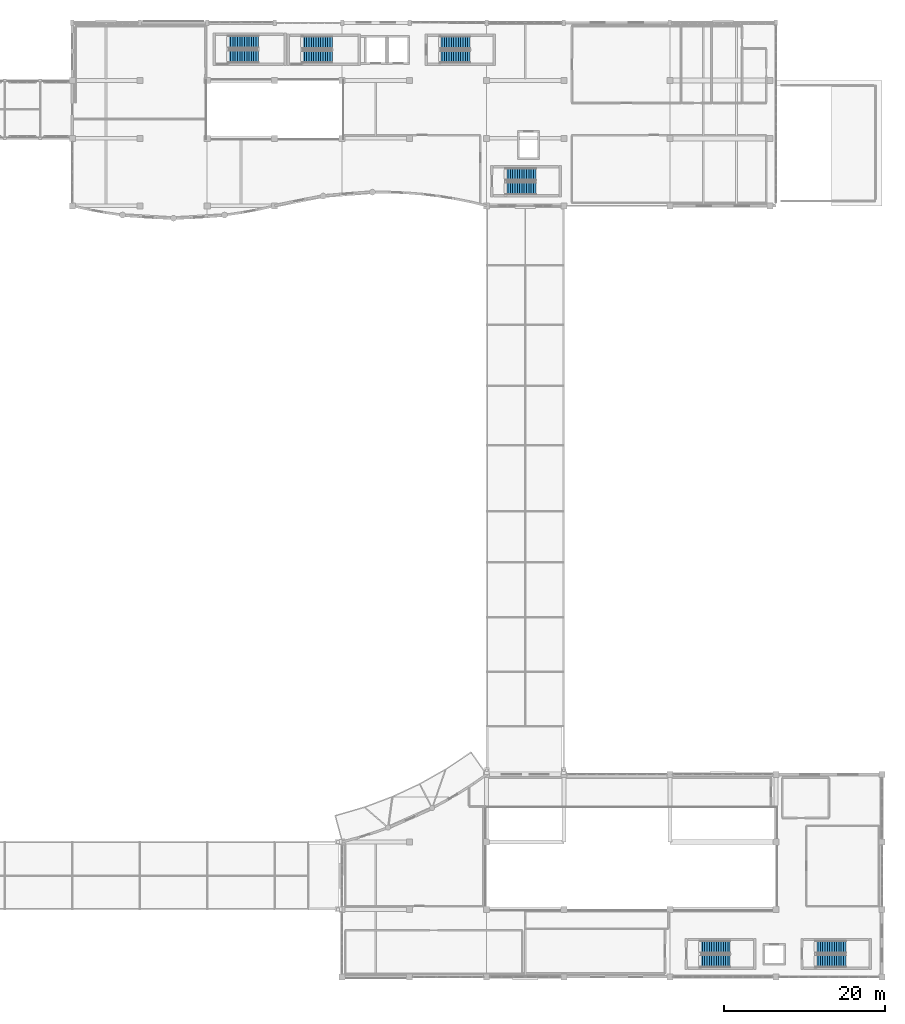
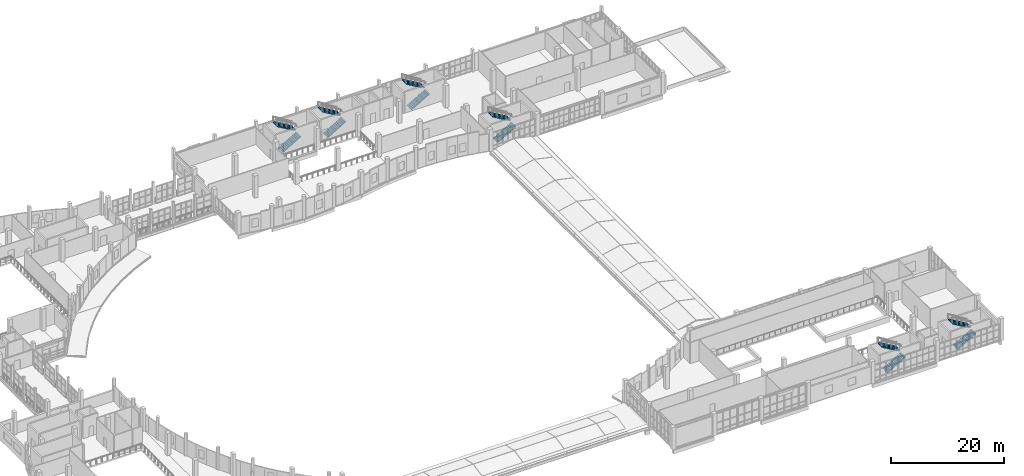
# One storey, part 93 of 106: 12 stair flights, 6 elements without a shape of their own.
"""IFC4 building model written with IfcOpenShell, lengths in metres."""

from ifc_helpers import new_model, si_unit, direction, frame, origin, place, context, subcontext, project, spatial, polyline, outline, extrude, material, type_object, element, aggregate, save


model = new_model("IFC4")

# Units and contexts
model_context = context("Model", 3, precision=1e-05, world=origin(), true_north=direction((0.0, 1.0)))
body_context = subcontext(model_context, "Body", "Model", "MODEL_VIEW")
ifc_project = project(units=[si_unit("LENGTHUNIT", "METRE"), si_unit("AREAUNIT", "SQUARE_METRE"), si_unit("VOLUMEUNIT", "CUBIC_METRE"), si_unit("PLANEANGLEUNIT", "RADIAN"), si_unit("MASSUNIT", "GRAM", prefix="KILO")], contexts=[model_context])

# Site, building, storey
site_placement = place(None, origin())
site = spatial("IfcSite", under=ifc_project, at=site_placement, CompositionType="ELEMENT")
building_placement = place(site_placement, origin())
building = spatial("IfcBuilding", under=site, at=building_placement, Name="Kisaragi Civic Commons", CompositionType="ELEMENT")
storey_placement = place(building_placement, frame((0.0, 0.0, 4.800048828125)))
storey = spatial("IfcBuildingStorey", under=building, at=storey_placement, Name="L01", CompositionType="ELEMENT", Elevation=4.800048828125)

# Stair, stair flights
ifc_material = material(Name="Concrete Fc30", Category="concrete")
stair_type_1 = type_object("IfcStairType", Name="ST-A", PredefinedType="HALF_TURN_STAIR", material=ifc_material)
stair_1_placement = place(storey_placement, origin())
stair_1 = element("IfcStair", 1, at=stair_1_placement, inside=storey, type_object=stair_type_1, Name="L01 Stair ST-L1", PredefinedType="HALF_TURN_STAIR")
stair_flight_type_1 = type_object("IfcStairFlightType", Name="STF-A", PredefinedType="STRAIGHT", material=ifc_material)
stair_flight_1_placement = place(storey_placement, frame((100.60009765625, 114.574951171875, 0.0), z_axis=(0.0, 0.0, 1.0), x_axis=(1.0, 0.0, 0.0)))
stair_flight_1 = element("IfcStairFlight", 2, at=stair_flight_1_placement, type_object=stair_flight_type_1, Name="ST-L1 flight 1", NumberOfRisers=14, NumberOfTreads=13, PredefinedType="STRAIGHT", RiserHeight=0.171428571, TreadLength=0.29, context=body_context, shape_type="SweptSolid", body=[
    extrude(outline(polyline([(0.0, 0.0), (0.0, 0.17138671875), (0.2900390625, 0.17138671875), (0.2900390625, 0.3427734375), (0.580078125, 0.3427734375), (0.580078125, 0.514404296875), (0.8701171875, 0.514404296875), (0.8701171875, 0.685791015625), (1.159912109375, 0.685791015625), (1.159912109375, 0.857177734375), (1.449951171875, 0.857177734375), (1.449951171875, 1.028564453125), (1.739990234375, 1.028564453125), (1.739990234375, 1.199951171875), (2.030029296875, 1.199951171875), (2.030029296875, 1.371337890625), (2.320068359375, 1.371337890625), (2.320068359375, 1.54296875), (2.610107421875, 1.54296875), (2.610107421875, 1.71435546875), (2.89990234375, 1.71435546875), (2.89990234375, 1.8857421875), (3.18994140625, 1.8857421875), (3.18994140625, 2.05712890625), (3.47998046875, 2.05712890625), (3.47998046875, 2.228515625), (3.77001953125, 2.228515625), (3.77001953125, 2.39990234375), (3.77001953125, 2.01953125), (0.353515625, 0.0), (0.0, 0.0)])), frame((0.0, 0.77490234375, 0.0), z_axis=(0.0, -1.0, 0.0), x_axis=(1.0, 0.0, 0.0)), (0.0, 0.0, 1.0), 1.550048828125),
])
stair_flight_2_placement = place(storey_placement, frame((104.3701171875, 116.324951171875, 2.39990234375), z_axis=(0.0, 0.0, 1.0), x_axis=(-1.0, 0.0, 0.0)))
stair_flight_2 = element("IfcStairFlight", 3, at=stair_flight_2_placement, type_object=stair_flight_type_1, Name="ST-L1 flight 2", NumberOfRisers=14, NumberOfTreads=13, PredefinedType="STRAIGHT", RiserHeight=0.171428571, TreadLength=0.29, context=body_context, shape_type="SweptSolid", body=[
    extrude(outline(polyline([(0.0, 0.0), (0.0, 0.17138671875), (0.2900390625, 0.17138671875), (0.2900390625, 0.3427734375), (0.580078125, 0.3427734375), (0.580078125, 0.514404296875), (0.8701171875, 0.514404296875), (0.8701171875, 0.685791015625), (1.159912109375, 0.685791015625), (1.159912109375, 0.857177734375), (1.449951171875, 0.857177734375), (1.449951171875, 1.028564453125), (1.739990234375, 1.028564453125), (1.739990234375, 1.199951171875), (2.030029296875, 1.199951171875), (2.030029296875, 1.371337890625), (2.320068359375, 1.371337890625), (2.320068359375, 1.54296875), (2.610107421875, 1.54296875), (2.610107421875, 1.71435546875), (2.89990234375, 1.71435546875), (2.89990234375, 1.8857421875), (3.18994140625, 1.8857421875), (3.18994140625, 2.05712890625), (3.47998046875, 2.05712890625), (3.47998046875, 2.228515625), (3.77001953125, 2.228515625), (3.77001953125, 2.39990234375), (3.77001953125, 2.01953125), (0.353515625, 0.0), (0.0, 0.0)])), frame((0.0, 0.77490234375, 0.0), z_axis=(0.0, -1.0, 0.0), x_axis=(1.0, 0.0, 0.0)), (0.0, 0.0, 1.0), 1.550048828125),
])
aggregate(stair_1, [stair_flight_1, stair_flight_2])

stair_2_placement = place(storey_placement, origin())
stair_2 = element("IfcStair", 4, at=stair_2_placement, inside=storey, type_object=stair_type_1, Name="L01 Stair ST-L2", PredefinedType="HALF_TURN_STAIR")
stair_flight_3_placement = place(storey_placement, frame((117.75, 114.574951171875, 0.0), z_axis=(0.0, 0.0, 1.0), x_axis=(1.0, 0.0, 0.0)))
stair_flight_3 = element("IfcStairFlight", 5, at=stair_flight_3_placement, type_object=stair_flight_type_1, Name="ST-L2 flight 1", NumberOfRisers=14, NumberOfTreads=13, PredefinedType="STRAIGHT", RiserHeight=0.171428571, TreadLength=0.29, context=body_context, shape_type="SweptSolid", body=[
    extrude(outline(polyline([(0.0, 0.0), (0.0, 0.17138671875), (0.2900390625, 0.17138671875), (0.2900390625, 0.3427734375), (0.580078125, 0.3427734375), (0.580078125, 0.514404296875), (0.8701171875, 0.514404296875), (0.8701171875, 0.685791015625), (1.159912109375, 0.685791015625), (1.159912109375, 0.857177734375), (1.449951171875, 0.857177734375), (1.449951171875, 1.028564453125), (1.739990234375, 1.028564453125), (1.739990234375, 1.199951171875), (2.030029296875, 1.199951171875), (2.030029296875, 1.371337890625), (2.320068359375, 1.371337890625), (2.320068359375, 1.54296875), (2.610107421875, 1.54296875), (2.610107421875, 1.71435546875), (2.89990234375, 1.71435546875), (2.89990234375, 1.8857421875), (3.18994140625, 1.8857421875), (3.18994140625, 2.05712890625), (3.47998046875, 2.05712890625), (3.47998046875, 2.228515625), (3.77001953125, 2.228515625), (3.77001953125, 2.39990234375), (3.77001953125, 2.01953125), (0.353515625, 0.0), (0.0, 0.0)])), frame((0.0, 0.77490234375, 0.0), z_axis=(0.0, -1.0, 0.0), x_axis=(1.0, 0.0, 0.0)), (0.0, 0.0, 1.0), 1.550048828125),
])
stair_flight_4_placement = place(storey_placement, frame((121.52001953125, 116.324951171875, 2.39990234375), z_axis=(0.0, 0.0, 1.0), x_axis=(-1.0, 0.0, 0.0)))
stair_flight_4 = element("IfcStairFlight", 6, at=stair_flight_4_placement, type_object=stair_flight_type_1, Name="ST-L2 flight 2", NumberOfRisers=14, NumberOfTreads=13, PredefinedType="STRAIGHT", RiserHeight=0.171428571, TreadLength=0.29, context=body_context, shape_type="SweptSolid", body=[
    extrude(outline(polyline([(0.0, 0.0), (0.0, 0.17138671875), (0.2900390625, 0.17138671875), (0.2900390625, 0.3427734375), (0.580078125, 0.3427734375), (0.580078125, 0.514404296875), (0.8701171875, 0.514404296875), (0.8701171875, 0.685791015625), (1.159912109375, 0.685791015625), (1.159912109375, 0.857177734375), (1.449951171875, 0.857177734375), (1.449951171875, 1.028564453125), (1.739990234375, 1.028564453125), (1.739990234375, 1.199951171875), (2.030029296875, 1.199951171875), (2.030029296875, 1.371337890625), (2.320068359375, 1.371337890625), (2.320068359375, 1.54296875), (2.610107421875, 1.54296875), (2.610107421875, 1.71435546875), (2.89990234375, 1.71435546875), (2.89990234375, 1.8857421875), (3.18994140625, 1.8857421875), (3.18994140625, 2.05712890625), (3.47998046875, 2.05712890625), (3.47998046875, 2.228515625), (3.77001953125, 2.228515625), (3.77001953125, 2.39990234375), (3.77001953125, 2.01953125), (0.353515625, 0.0), (0.0, 0.0)])), frame((0.0, 0.77490234375, 0.0), z_axis=(0.0, -1.0, 0.0), x_axis=(1.0, 0.0, 0.0)), (0.0, 0.0, 1.0), 1.550048828125),
])
aggregate(stair_2, [stair_flight_3, stair_flight_4])

stair_3_placement = place(storey_placement, origin())
stair_3 = element("IfcStair", 7, at=stair_3_placement, inside=storey, type_object=stair_type_1, Name="L01 Stair ST-L3", PredefinedType="HALF_TURN_STAIR")
stair_flight_5_placement = place(storey_placement, frame((125.949951171875, 98.175048828125, 0.0), z_axis=(0.0, 0.0, 1.0), x_axis=(1.0, 0.0, 0.0)))
stair_flight_5 = element("IfcStairFlight", 8, at=stair_flight_5_placement, type_object=stair_flight_type_1, Name="ST-L3 flight 1", NumberOfRisers=14, NumberOfTreads=13, PredefinedType="STRAIGHT", RiserHeight=0.171428571, TreadLength=0.29, context=body_context, shape_type="SweptSolid", body=[
    extrude(outline(polyline([(0.0, 0.0), (0.0, 0.17138671875), (0.2900390625, 0.17138671875), (0.2900390625, 0.3427734375), (0.580078125, 0.3427734375), (0.580078125, 0.514404296875), (0.8701171875, 0.514404296875), (0.8701171875, 0.685791015625), (1.159912109375, 0.685791015625), (1.159912109375, 0.857177734375), (1.449951171875, 0.857177734375), (1.449951171875, 1.028564453125), (1.739990234375, 1.028564453125), (1.739990234375, 1.199951171875), (2.030029296875, 1.199951171875), (2.030029296875, 1.371337890625), (2.320068359375, 1.371337890625), (2.320068359375, 1.54296875), (2.610107421875, 1.54296875), (2.610107421875, 1.71435546875), (2.89990234375, 1.71435546875), (2.89990234375, 1.8857421875), (3.18994140625, 1.8857421875), (3.18994140625, 2.05712890625), (3.47998046875, 2.05712890625), (3.47998046875, 2.228515625), (3.77001953125, 2.228515625), (3.77001953125, 2.39990234375), (3.77001953125, 2.01953125), (0.353515625, 0.0), (0.0, 0.0)])), frame((0.0, 0.77490234375, 0.0), z_axis=(0.0, -1.0, 0.0), x_axis=(1.0, 0.0, 0.0)), (0.0, 0.0, 1.0), 1.550048828125),
])
stair_flight_6_placement = place(storey_placement, frame((129.719970703125, 99.925048828125, 2.39990234375), z_axis=(0.0, 0.0, 1.0), x_axis=(-1.0, 0.0, 0.0)))
stair_flight_6 = element("IfcStairFlight", 9, at=stair_flight_6_placement, type_object=stair_flight_type_1, Name="ST-L3 flight 2", NumberOfRisers=14, NumberOfTreads=13, PredefinedType="STRAIGHT", RiserHeight=0.171428571, TreadLength=0.29, context=body_context, shape_type="SweptSolid", body=[
    extrude(outline(polyline([(0.0, 0.0), (0.0, 0.17138671875), (0.2900390625, 0.17138671875), (0.2900390625, 0.3427734375), (0.580078125, 0.3427734375), (0.580078125, 0.514404296875), (0.8701171875, 0.514404296875), (0.8701171875, 0.685791015625), (1.159912109375, 0.685791015625), (1.159912109375, 0.857177734375), (1.449951171875, 0.857177734375), (1.449951171875, 1.028564453125), (1.739990234375, 1.028564453125), (1.739990234375, 1.199951171875), (2.030029296875, 1.199951171875), (2.030029296875, 1.371337890625), (2.320068359375, 1.371337890625), (2.320068359375, 1.54296875), (2.610107421875, 1.54296875), (2.610107421875, 1.71435546875), (2.89990234375, 1.71435546875), (2.89990234375, 1.8857421875), (3.18994140625, 1.8857421875), (3.18994140625, 2.05712890625), (3.47998046875, 2.05712890625), (3.47998046875, 2.228515625), (3.77001953125, 2.228515625), (3.77001953125, 2.39990234375), (3.77001953125, 2.01953125), (0.353515625, 0.0), (0.0, 0.0)])), frame((0.0, 0.77490234375, 0.0), z_axis=(0.0, -1.0, 0.0), x_axis=(1.0, 0.0, 0.0)), (0.0, 0.0, 1.0), 1.550048828125),
])
aggregate(stair_3, [stair_flight_5, stair_flight_6])

stair_4_placement = place(storey_placement, origin())
stair_4 = element("IfcStair", 10, at=stair_4_placement, inside=storey, type_object=stair_type_1, Name="L01 Stair ST-D1", PredefinedType="HALF_TURN_STAIR")
stair_flight_7_placement = place(storey_placement, frame((150.14990234375, 1.97509765625, 0.0), z_axis=(0.0, 0.0, 1.0), x_axis=(1.0, 0.0, 0.0)))
stair_flight_7 = element("IfcStairFlight", 11, at=stair_flight_7_placement, type_object=stair_flight_type_1, Name="ST-D1 flight 1", NumberOfRisers=14, NumberOfTreads=13, PredefinedType="STRAIGHT", RiserHeight=0.171428571, TreadLength=0.29, context=body_context, shape_type="SweptSolid", body=[
    extrude(outline(polyline([(0.0, 0.0), (0.0, 0.17138671875), (0.2900390625, 0.17138671875), (0.2900390625, 0.3427734375), (0.580078125, 0.3427734375), (0.580078125, 0.514404296875), (0.8701171875, 0.514404296875), (0.8701171875, 0.685791015625), (1.159912109375, 0.685791015625), (1.159912109375, 0.857177734375), (1.449951171875, 0.857177734375), (1.449951171875, 1.028564453125), (1.739990234375, 1.028564453125), (1.739990234375, 1.199951171875), (2.030029296875, 1.199951171875), (2.030029296875, 1.371337890625), (2.320068359375, 1.371337890625), (2.320068359375, 1.54296875), (2.610107421875, 1.54296875), (2.610107421875, 1.71435546875), (2.89990234375, 1.71435546875), (2.89990234375, 1.8857421875), (3.18994140625, 1.8857421875), (3.18994140625, 2.05712890625), (3.47998046875, 2.05712890625), (3.47998046875, 2.228515625), (3.77001953125, 2.228515625), (3.77001953125, 2.39990234375), (3.77001953125, 2.01953125), (0.353515625, 0.0), (0.0, 0.0)])), frame((0.0, 0.77490234375, 0.0), z_axis=(0.0, -1.0, 0.0), x_axis=(1.0, 0.0, 0.0)), (0.0, 0.0, 1.0), 1.550048828125),
])
stair_flight_8_placement = place(storey_placement, frame((153.919921875, 3.72509765625, 2.39990234375), z_axis=(0.0, 0.0, 1.0), x_axis=(-1.0, 0.0, 0.0)))
stair_flight_8 = element("IfcStairFlight", 12, at=stair_flight_8_placement, type_object=stair_flight_type_1, Name="ST-D1 flight 2", NumberOfRisers=14, NumberOfTreads=13, PredefinedType="STRAIGHT", RiserHeight=0.171428571, TreadLength=0.29, context=body_context, shape_type="SweptSolid", body=[
    extrude(outline(polyline([(0.0, 0.0), (0.0, 0.17138671875), (0.2900390625, 0.17138671875), (0.2900390625, 0.3427734375), (0.580078125, 0.3427734375), (0.580078125, 0.514404296875), (0.8701171875, 0.514404296875), (0.8701171875, 0.685791015625), (1.159912109375, 0.685791015625), (1.159912109375, 0.857177734375), (1.449951171875, 0.857177734375), (1.449951171875, 1.028564453125), (1.739990234375, 1.028564453125), (1.739990234375, 1.199951171875), (2.030029296875, 1.199951171875), (2.030029296875, 1.371337890625), (2.320068359375, 1.371337890625), (2.320068359375, 1.54296875), (2.610107421875, 1.54296875), (2.610107421875, 1.71435546875), (2.89990234375, 1.71435546875), (2.89990234375, 1.8857421875), (3.18994140625, 1.8857421875), (3.18994140625, 2.05712890625), (3.47998046875, 2.05712890625), (3.47998046875, 2.228515625), (3.77001953125, 2.228515625), (3.77001953125, 2.39990234375), (3.77001953125, 2.01953125), (0.353515625, 0.0), (0.0, 0.0)])), frame((0.0, 0.77490234375, 0.0), z_axis=(0.0, -1.0, 0.0), x_axis=(1.0, 0.0, 0.0)), (0.0, 0.0, 1.0), 1.550048828125),
])
aggregate(stair_4, [stair_flight_7, stair_flight_8])

stair_5_placement = place(storey_placement, origin())
stair_5 = element("IfcStair", 13, at=stair_5_placement, inside=storey, type_object=stair_type_1, Name="L01 Stair ST-D2", PredefinedType="HALF_TURN_STAIR")
stair_flight_9_placement = place(storey_placement, frame((164.550048828125, 1.97509765625, 0.0), z_axis=(0.0, 0.0, 1.0), x_axis=(1.0, 0.0, 0.0)))
stair_flight_9 = element("IfcStairFlight", 14, at=stair_flight_9_placement, type_object=stair_flight_type_1, Name="ST-D2 flight 1", NumberOfRisers=14, NumberOfTreads=13, PredefinedType="STRAIGHT", RiserHeight=0.171428571, TreadLength=0.29, context=body_context, shape_type="SweptSolid", body=[
    extrude(outline(polyline([(0.0, 0.0), (0.0, 0.17138671875), (0.2900390625, 0.17138671875), (0.2900390625, 0.3427734375), (0.580078125, 0.3427734375), (0.580078125, 0.514404296875), (0.8701171875, 0.514404296875), (0.8701171875, 0.685791015625), (1.159912109375, 0.685791015625), (1.159912109375, 0.857177734375), (1.449951171875, 0.857177734375), (1.449951171875, 1.028564453125), (1.739990234375, 1.028564453125), (1.739990234375, 1.199951171875), (2.030029296875, 1.199951171875), (2.030029296875, 1.371337890625), (2.320068359375, 1.371337890625), (2.320068359375, 1.54296875), (2.610107421875, 1.54296875), (2.610107421875, 1.71435546875), (2.89990234375, 1.71435546875), (2.89990234375, 1.8857421875), (3.18994140625, 1.8857421875), (3.18994140625, 2.05712890625), (3.47998046875, 2.05712890625), (3.47998046875, 2.228515625), (3.77001953125, 2.228515625), (3.77001953125, 2.39990234375), (3.77001953125, 2.01953125), (0.353515625, 0.0), (0.0, 0.0)])), frame((0.0, 0.77490234375, 0.0), z_axis=(0.0, -1.0, 0.0), x_axis=(1.0, 0.0, 0.0)), (0.0, 0.0, 1.0), 1.550048828125),
])
stair_flight_10_placement = place(storey_placement, frame((168.320068359375, 3.72509765625, 2.39990234375), z_axis=(0.0, 0.0, 1.0), x_axis=(-1.0, 0.0, 0.0)))
stair_flight_10 = element("IfcStairFlight", 15, at=stair_flight_10_placement, type_object=stair_flight_type_1, Name="ST-D2 flight 2", NumberOfRisers=14, NumberOfTreads=13, PredefinedType="STRAIGHT", RiserHeight=0.171428571, TreadLength=0.29, context=body_context, shape_type="SweptSolid", body=[
    extrude(outline(polyline([(0.0, 0.0), (0.0, 0.17138671875), (0.2900390625, 0.17138671875), (0.2900390625, 0.3427734375), (0.580078125, 0.3427734375), (0.580078125, 0.514404296875), (0.8701171875, 0.514404296875), (0.8701171875, 0.685791015625), (1.159912109375, 0.685791015625), (1.159912109375, 0.857177734375), (1.449951171875, 0.857177734375), (1.449951171875, 1.028564453125), (1.739990234375, 1.028564453125), (1.739990234375, 1.199951171875), (2.030029296875, 1.199951171875), (2.030029296875, 1.371337890625), (2.320068359375, 1.371337890625), (2.320068359375, 1.54296875), (2.610107421875, 1.54296875), (2.610107421875, 1.71435546875), (2.89990234375, 1.71435546875), (2.89990234375, 1.8857421875), (3.18994140625, 1.8857421875), (3.18994140625, 2.05712890625), (3.47998046875, 2.05712890625), (3.47998046875, 2.228515625), (3.77001953125, 2.228515625), (3.77001953125, 2.39990234375), (3.77001953125, 2.01953125), (0.353515625, 0.0), (0.0, 0.0)])), frame((0.0, 0.77490234375, 0.0), z_axis=(0.0, -1.0, 0.0), x_axis=(1.0, 0.0, 0.0)), (0.0, 0.0, 1.0), 1.550048828125),
])
aggregate(stair_5, [stair_flight_9, stair_flight_10])

stair_type_2 = type_object("IfcStairType", Name="ST-B", PredefinedType="HALF_TURN_STAIR", material=ifc_material)
stair_6_placement = place(storey_placement, origin())
stair_6 = element("IfcStair", 16, at=stair_6_placement, inside=storey, type_object=stair_type_2, Name="L01 Stair ST-L4", PredefinedType="HALF_TURN_STAIR")
stair_flight_type_2 = type_object("IfcStairFlightType", Name="STF-B", PredefinedType="STRAIGHT", material=ifc_material)
stair_flight_11_placement = place(storey_placement, frame((91.39990234375, 114.60009765625, 0.0), z_axis=(0.0, 0.0, 1.0), x_axis=(1.0, 0.0, 0.0)))
stair_flight_11 = element("IfcStairFlight", 17, at=stair_flight_11_placement, type_object=stair_flight_type_2, Name="ST-L4 flight 1", NumberOfRisers=14, NumberOfTreads=13, PredefinedType="STRAIGHT", RiserHeight=0.171428571, TreadLength=0.29, context=body_context, shape_type="SweptSolid", body=[
    extrude(outline(polyline([(0.0, 0.0), (0.0, 0.17138671875), (0.2900390625, 0.17138671875), (0.2900390625, 0.3427734375), (0.580078125, 0.3427734375), (0.580078125, 0.514404296875), (0.8701171875, 0.514404296875), (0.8701171875, 0.685791015625), (1.159912109375, 0.685791015625), (1.159912109375, 0.857177734375), (1.449951171875, 0.857177734375), (1.449951171875, 1.028564453125), (1.739990234375, 1.028564453125), (1.739990234375, 1.199951171875), (2.030029296875, 1.199951171875), (2.030029296875, 1.371337890625), (2.320068359375, 1.371337890625), (2.320068359375, 1.54296875), (2.610107421875, 1.54296875), (2.610107421875, 1.71435546875), (2.89990234375, 1.71435546875), (2.89990234375, 1.8857421875), (3.18994140625, 1.8857421875), (3.18994140625, 2.05712890625), (3.47998046875, 2.05712890625), (3.47998046875, 2.228515625), (3.77001953125, 2.228515625), (3.77001953125, 2.39990234375), (3.77001953125, 2.01953125), (0.353515625, 0.0), (0.0, 0.0)])), frame((0.0, 0.800048828125, 0.0), z_axis=(0.0, -1.0, 0.0), x_axis=(1.0, 0.0, 0.0)), (0.0, 0.0, 1.0), 1.60009765625),
])
stair_flight_12_placement = place(storey_placement, frame((95.169921875, 116.39990234375, 2.39990234375), z_axis=(0.0, 0.0, 1.0), x_axis=(-1.0, 0.0, 0.0)))
stair_flight_12 = element("IfcStairFlight", 18, at=stair_flight_12_placement, type_object=stair_flight_type_2, Name="ST-L4 flight 2", NumberOfRisers=14, NumberOfTreads=13, PredefinedType="STRAIGHT", RiserHeight=0.171428571, TreadLength=0.29, context=body_context, shape_type="SweptSolid", body=[
    extrude(outline(polyline([(0.0, 0.0), (0.0, 0.17138671875), (0.2900390625, 0.17138671875), (0.2900390625, 0.3427734375), (0.580078125, 0.3427734375), (0.580078125, 0.514404296875), (0.8701171875, 0.514404296875), (0.8701171875, 0.685791015625), (1.159912109375, 0.685791015625), (1.159912109375, 0.857177734375), (1.449951171875, 0.857177734375), (1.449951171875, 1.028564453125), (1.739990234375, 1.028564453125), (1.739990234375, 1.199951171875), (2.030029296875, 1.199951171875), (2.030029296875, 1.371337890625), (2.320068359375, 1.371337890625), (2.320068359375, 1.54296875), (2.610107421875, 1.54296875), (2.610107421875, 1.71435546875), (2.89990234375, 1.71435546875), (2.89990234375, 1.8857421875), (3.18994140625, 1.8857421875), (3.18994140625, 2.05712890625), (3.47998046875, 2.05712890625), (3.47998046875, 2.228515625), (3.77001953125, 2.228515625), (3.77001953125, 2.39990234375), (3.77001953125, 2.01953125), (0.353515625, 0.0), (0.0, 0.0)])), frame((0.0, 0.800048828125, 0.0), z_axis=(0.0, -1.0, 0.0), x_axis=(1.0, 0.0, 0.0)), (0.0, 0.0, 1.0), 1.60009765625),
])
aggregate(stair_6, [stair_flight_11, stair_flight_12])

save(model, "model.ifc")
